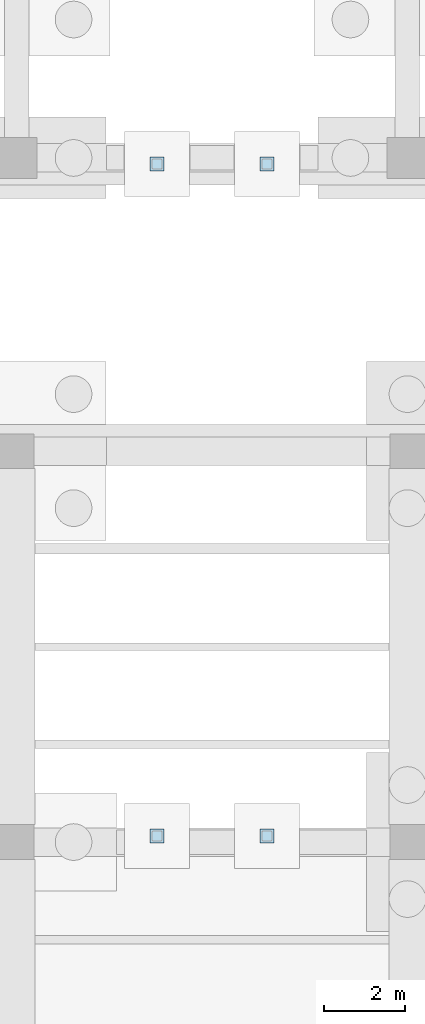
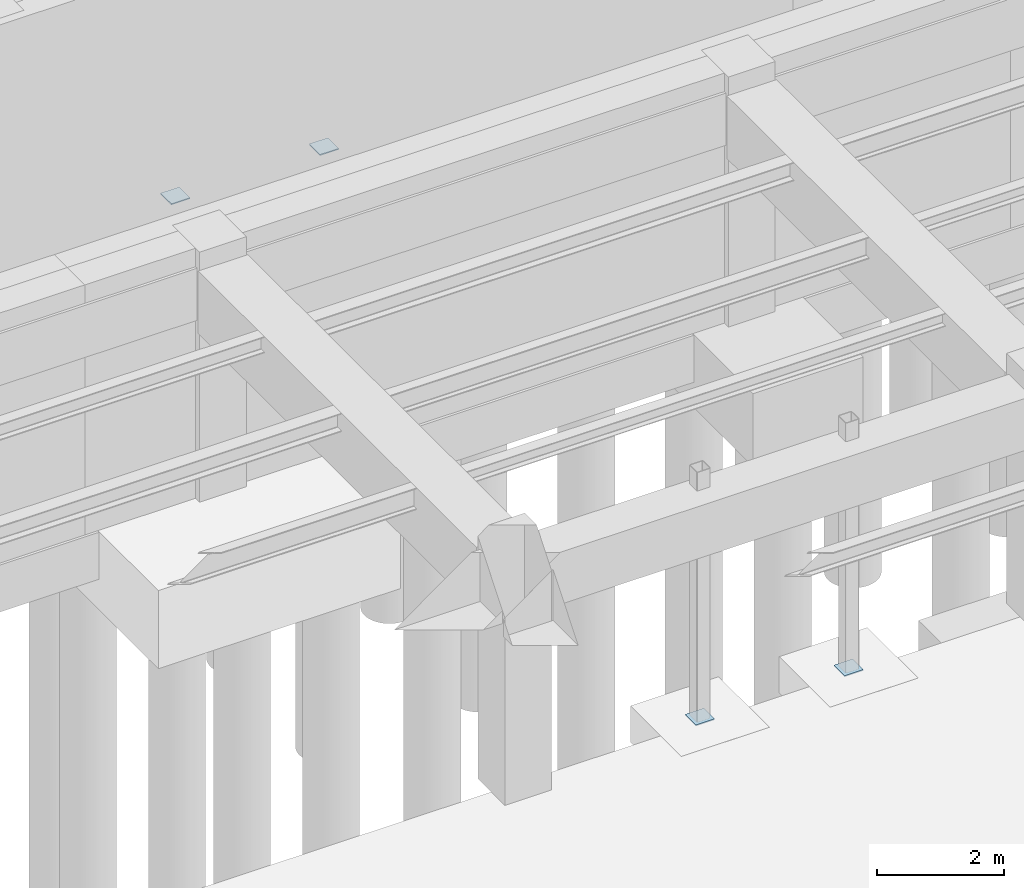
# One storey, part 32 of 56: 4 plates.
"""IFC4 building model written with IfcOpenShell, lengths in metres."""

from ifc_helpers import new_model, si_unit, direction, frame, origin, origin_2d, place, context, subcontext, project, spatial, rectangle, extrude, material, layer, layer_set, type_object, element, save


model = new_model("IFC4")

# Units and contexts
model_context = context("Model", 3, precision=1e-05, world=origin(), true_north=direction((0.0, 1.0)))
body_context = subcontext(model_context, "Body", "Model", "MODEL_VIEW")
ifc_project = project(units=[si_unit("LENGTHUNIT", "METRE"), si_unit("AREAUNIT", "SQUARE_METRE"), si_unit("VOLUMEUNIT", "CUBIC_METRE"), si_unit("PLANEANGLEUNIT", "RADIAN"), si_unit("MASSUNIT", "GRAM", prefix="KILO")], contexts=[model_context])

# Site, building, storey
site_placement = place(None, origin())
site = spatial("IfcSite", under=ifc_project, at=site_placement, CompositionType="ELEMENT")
building_placement = place(site_placement, origin())
building = spatial("IfcBuilding", under=site, at=building_placement, Name="Mavantir Sound Aquarium", CompositionType="ELEMENT")
storey_placement = place(building_placement, frame((0.0, 0.0, -9.60009765625)))
storey = spatial("IfcBuildingStorey", under=building, at=storey_placement, Name="B2", CompositionType="ELEMENT", Elevation=-9.60009765625)

# Plates
ifc_material = material(Name="Structural Steel ASTM A572 Gr50", Category="steel")
ifc_layer = layer(ifc_material, 0.02001953125, Name="Structural Steel ASTM A572 Gr50")
ifc_layer_set = layer_set([ifc_layer], Name="Structural Steel ASTM A572 Gr50")
plate_type = type_object("IfcPlateType", Name="PLT-ENDCAP-20", PredefinedType="SHEET", material=ifc_layer_set)
for number, where, z_axis, x_axis, name in (
    (1, (130.64990234375, 19.35009765625, -0.02001953125), (0.0, 0.0, 1.0), (1.0, 0.0, 0.0), "Bridge hollow column 4.1 bot cap plate NP-02"),
    (2, (130.64990234375, 35.85009765625, -0.02001953125), (0.0, 0.0, 1.0), (1.0, 0.0, 0.0), "Bridge hollow column 4.2 bot cap plate NP-02"),
    (3, (133.35009765625, 19.35009765625, -0.02001953125), (0.0, 0.0, 1.0), (1.0, 0.0, 0.0), "Bridge hollow column 4.3 bot cap plate NP-02"),
    (4, (133.35009765625, 35.85009765625, -0.02001953125), (0.0, 0.0, 1.0), (1.0, 0.0, 0.0), "Bridge hollow column 4.4 bot cap plate NP-02"),
):
    element("IfcPlate", number, at=place(storey_placement, frame(where, z_axis=z_axis, x_axis=x_axis)), inside=storey, type_object=plate_type, Name=name, PredefinedType="SHEET", context=body_context, shape_type="SweptSolid", body=[
        extrude(rectangle(XDim=0.340087890625, YDim=0.340087890625, at=origin_2d()), origin(), (0.0, 0.0, 1.0), 0.02001953125),
    ])

save(model, "model.ifc")
